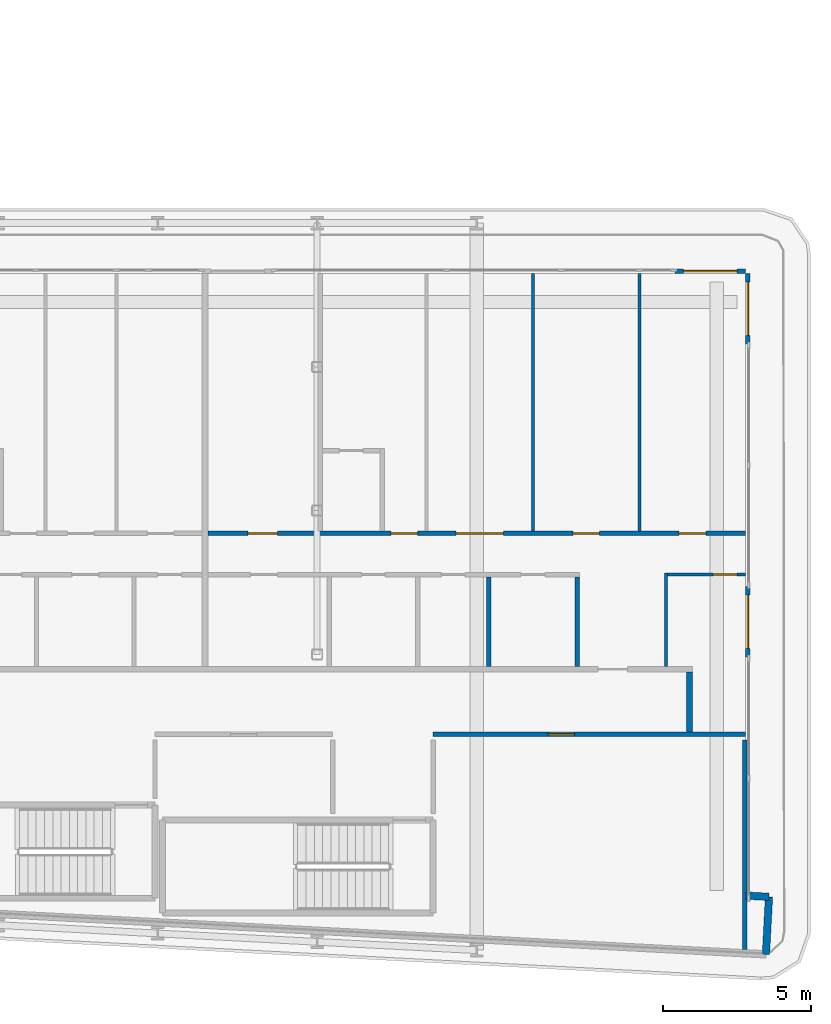
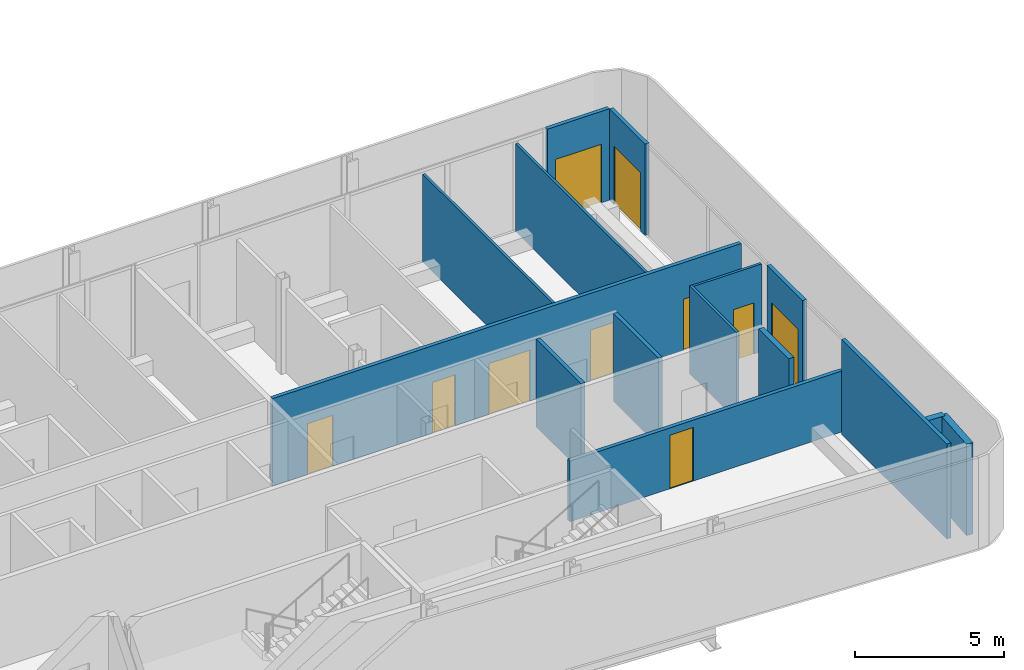
# One storey, part 20 of 29: 15 walls, 10 doors, 10 openings.
"""IFC4 building model written with IfcOpenShell, lengths in metres."""

from ifc_helpers import new_model, si_unit, direction, frame, frame_2d, origin, place, context, subcontext, project, spatial, rectangle, extrude, source, transform, mapped, material, layer, layer_set, type_object, element, fill, save


model = new_model("IFC4")

# Units and contexts
model_context = context("Model", 3, precision=1e-05, world=origin(), true_north=direction((0.0, 1.0)))
body_context = subcontext(model_context, "Body", "Model", "MODEL_VIEW")
ifc_project = project(units=[si_unit("LENGTHUNIT", "METRE"), si_unit("AREAUNIT", "SQUARE_METRE"), si_unit("VOLUMEUNIT", "CUBIC_METRE"), si_unit("PLANEANGLEUNIT", "RADIAN"), si_unit("MASSUNIT", "GRAM", prefix="KILO")], contexts=[model_context])

# Site, building, storey
site_placement = place(None, origin())
site = spatial("IfcSite", under=ifc_project, at=site_placement, CompositionType="ELEMENT")
building_placement = place(site_placement, origin())
building = spatial("IfcBuilding", under=site, at=building_placement, Name="Kheshtan School and Residences Tower", CompositionType="ELEMENT")
storey_placement = place(building_placement, frame((0.0, 0.0, 117.5)))
storey = spatial("IfcBuildingStorey", under=building, at=storey_placement, Name="L27", CompositionType="ELEMENT", Elevation=117.5)

# Walls
ifc_material_1 = material(Name="Gypsum board on steel studs with fire boards", Category="steel")
ifc_layer_1 = layer(ifc_material_1, 0.199951171875)
ifc_layer_set_1 = layer_set([ifc_layer_1], Name="Corridor wall 200")
wall_type_1 = type_object("IfcWallType", Name="Corridor wall 200", PredefinedType="PARTITIONING", material=ifc_layer_set_1)
wall_1_placement = place(storey_placement, frame((98.0, 28.3740234375, 0.0), z_axis=(0.0, 0.0, 1.0), x_axis=(0.0, 1.0, 0.0)))
element("IfcWall", 1, at=wall_1_placement, inside=storey, type_object=wall_type_1, Name="Partition L27-094", PredefinedType="PARTITIONING", context=body_context, shape_type="SweptSolid", body=[
    extrude(rectangle(XDim=2.02587890625, YDim=0.199951171875, at=frame_2d((1.012939453125, 0.0))), origin(), (0.0, 0.0, 1.0), 3.60009765625),
])
ifc_material_2 = material(Name="Concrete C40/50 with ceramic cladding and mineral wool insulation", Category="concrete")
ifc_layer_2 = layer(ifc_material_2, 0.25)
ifc_layer_set_2 = layer_set([ifc_layer_2], Name="External wall 250 ceramic clad")
wall_type_2 = type_object("IfcWallType", Name="External wall 250 ceramic clad", PredefinedType="SOLIDWALL", material=ifc_layer_set_2)
wall_2_placement = place(storey_placement, frame((99.906982421875, 22.839111328125, 0.0), z_axis=(0.0, 0.0, 1.0), x_axis=(0.998561284263, -0.053622398031, 0.0)))
element("IfcWall", 2, at=wall_2_placement, inside=storey, type_object=wall_type_2, Name="External wall L27 14", PredefinedType="SOLIDWALL", context=body_context, shape_type="SweptSolid", body=[
    extrude(rectangle(XDim=0.783203125, YDim=0.25, at=frame_2d((0.3916015625, 0.0))), origin(), (0.0, 0.0, 1.0), 3.75),
])
wall_3_placement = place(storey_placement, frame((100.68896484375, 22.797119140625, 0.0), z_axis=(0.0, 0.0, 1.0), x_axis=(-0.052841433274, -0.998602915542, 0.0)))
element("IfcWall", 3, at=wall_3_placement, inside=storey, type_object=wall_type_2, Name="External wall L27 15", PredefinedType="SOLIDWALL", context=body_context, shape_type="SweptSolid", body=[
    extrude(rectangle(XDim=1.94970703125, YDim=0.25, at=frame_2d((0.974853515625, 0.0))), origin(), (0.0, 0.0, 1.0), 3.75),
])

# Wall, opening, door
ifc_material_3 = material(Name="Aluminium frame wall with insulated infill", Category="aluminium")
ifc_layer_3 = layer(ifc_material_3, 0.14990234375)
ifc_layer_set_3 = layer_set([ifc_layer_3], Name="Glazing frame wall 150")
wall_type_3 = type_object("IfcWallType", Name="Glazing frame wall 150", PredefinedType="SOLIDWALL", material=ifc_layer_set_3)
wall_4_placement = place(storey_placement, frame((97.5, 43.97509765625, 0.0), z_axis=(0.0, 0.0, 1.0), x_axis=(1.0, 0.0, 0.0)))
wall_4 = element("IfcWall", 4, at=wall_4_placement, inside=storey, type_object=wall_type_3, Name="Balcony door wall L27 12.5", PredefinedType="SOLIDWALL", context=body_context, shape_type="SweptSolid", body=[
    extrude(rectangle(XDim=2.39990234375, YDim=0.14990234375, at=frame_2d((1.199951171875, 0.0))), origin(), (0.0, 0.0, 1.0), 3.75),
])
opening_1_placement = place(wall_4_placement, frame((0.300048828125, 0.0, 0.0)))
opening_1 = element("IfcOpeningElement", 5, at=opening_1_placement, cuts=wall_4, Name="Opening BD", PredefinedType="OPENING", context=body_context, shape_type="SweptSolid", body=[
    extrude(rectangle(XDim=1.800048828125, YDim=2.39990234375, at=frame_2d((0.89990234375, 1.199951171875))), frame((0.0, 0.0849609375, 0.0), z_axis=(0.0, -1.0, 0.0), x_axis=(1.0, 0.0, 0.0)), (0.0, 0.0, 1.0), 0.169921875),
])
ifc_material_4 = material(Name="Clear low-e glass in thermally broken aluminium frame", Category="aluminium")
door_type_1 = type_object("IfcDoorType", Name="Balcony sliding door", OperationType="SLIDING_TO_LEFT", PredefinedType="DOOR", material=ifc_material_4)
shared_shape_1 = source(origin(), body_context, "Body", "SweptSolid", [
    extrude(rectangle(XDim=1.800048828125, YDim=2.39990234375, at=frame_2d((0.89990234375, 1.199951171875))), frame((0.0, 0.02490234375, 0.0), z_axis=(0.0, -1.0, 0.0), x_axis=(1.0, 0.0, 0.0)), (0.0, 0.0, 1.0), 0.050048828125),
])
door_1_placement = place(opening_1_placement, origin())
door_1 = element("IfcDoor", 6, at=door_1_placement, inside=storey, type_object=door_type_1, Name="Balcony door L27 12.5", OperationType="SLIDING_TO_LEFT", OverallHeight=2.39990234375, OverallWidth=1.800048828125, PredefinedType="DOOR", context=body_context, shape_type="MappedRepresentation", body=[
    mapped(shared_shape_1, transform((0.0, 0.0, 0.0), x_axis=(1.0, 0.0, 0.0), y_axis=(0.0, 1.0, 0.0), z_axis=(0.0, 0.0, 1.0), scale=1.0)),
])
fill(opening_1, door_1)

wall_5_placement = place(storey_placement, frame((99.97509765625, 43.89990234375, 0.0), z_axis=(0.0, 0.0, 1.0), x_axis=(0.0, -1.0, 0.0)))
wall_5 = element("IfcWall", 7, at=wall_5_placement, inside=storey, type_object=wall_type_3, Name="Balcony door wall L27 13.1", PredefinedType="SOLIDWALL", context=body_context, shape_type="SweptSolid", body=[
    extrude(rectangle(XDim=2.39990234375, YDim=0.14990234375, at=frame_2d((1.199951171875, 0.0))), origin(), (0.0, 0.0, 1.0), 3.75),
])
opening_2_placement = place(wall_5_placement, frame((0.300048828125, 0.0, 0.0)))
opening_2 = element("IfcOpeningElement", 8, at=opening_2_placement, cuts=wall_5, Name="Opening BD", PredefinedType="OPENING", context=body_context, shape_type="SweptSolid", body=[
    extrude(rectangle(XDim=1.800048828125, YDim=2.39990234375, at=frame_2d((0.89990234375, 1.199951171875))), frame((0.0, 0.0849609375, 0.0), z_axis=(0.0, -1.0, 0.0), x_axis=(1.0, 0.0, 0.0)), (0.0, 0.0, 1.0), 0.169921875),
])
door_2_placement = place(opening_2_placement, origin())
door_2 = element("IfcDoor", 9, at=door_2_placement, inside=storey, type_object=door_type_1, Name="Balcony door L27 13.1", OperationType="SLIDING_TO_LEFT", OverallHeight=2.39990234375, OverallWidth=1.800048828125, PredefinedType="DOOR", context=body_context, shape_type="MappedRepresentation", body=[
    mapped(shared_shape_1, transform((0.0, 0.0, 0.0), x_axis=(1.0, 0.0, 0.0), y_axis=(0.0, 1.0, 0.0), z_axis=(0.0, 0.0, 1.0), scale=1.0)),
])
fill(opening_2, door_2)

wall_6_placement = place(storey_placement, frame((99.97509765625, 33.306884765625, 0.0), z_axis=(0.0, 0.0, 1.0), x_axis=(0.0, -1.0, 0.0)))
wall_6 = element("IfcWall", 10, at=wall_6_placement, inside=storey, type_object=wall_type_3, Name="Balcony door wall L27 13.2", PredefinedType="SOLIDWALL", context=body_context, shape_type="SweptSolid", body=[
    extrude(rectangle(XDim=2.39990234375, YDim=0.14990234375, at=frame_2d((1.199951171875, 0.0))), origin(), (0.0, 0.0, 1.0), 3.75),
])
opening_3_placement = place(wall_6_placement, frame((0.300048828125, 0.0, 0.0)))
opening_3 = element("IfcOpeningElement", 11, at=opening_3_placement, cuts=wall_6, Name="Opening BD", PredefinedType="OPENING", context=body_context, shape_type="SweptSolid", body=[
    extrude(rectangle(XDim=1.800048828125, YDim=2.39990234375, at=frame_2d((0.89990234375, 1.199951171875))), frame((0.0, 0.0849609375, 0.0), z_axis=(0.0, -1.0, 0.0), x_axis=(1.0, 0.0, 0.0)), (0.0, 0.0, 1.0), 0.169921875),
])
door_3_placement = place(opening_3_placement, origin())
door_3 = element("IfcDoor", 12, at=door_3_placement, inside=storey, type_object=door_type_1, Name="Balcony door L27 13.2", OperationType="SLIDING_TO_LEFT", OverallHeight=2.39990234375, OverallWidth=1.800048828125, PredefinedType="DOOR", context=body_context, shape_type="MappedRepresentation", body=[
    mapped(shared_shape_1, transform((0.0, 0.0, 0.0), x_axis=(1.0, 0.0, 0.0), y_axis=(0.0, 1.0, 0.0), z_axis=(0.0, 0.0, 1.0), scale=1.0)),
])
fill(opening_3, door_3)

# Walls
ifc_material_5 = material(Name="Gypsum board on steel studs", Category="steel")
ifc_layer_4 = layer(ifc_material_5, 0.10009765625)
ifc_layer_set_4 = layer_set([ifc_layer_4], Name="Gypsum partition 100")
wall_type_4 = type_object("IfcWallType", Name="Gypsum partition 100", PredefinedType="PARTITIONING", material=ifc_layer_set_4)
for number, where, z_axis, x_axis, name in (
    (13, (92.699951171875, 35.175048828125, 0.0), (0.0, 0.0, 1.0), (0.0, 1.0, 0.0), "Partition L27-089"),
    (14, (96.300048828125, 35.175048828125, 0.0), (0.0, 0.0, 1.0), (0.0, 1.0, 0.0), "Partition L27-091"),
):
    element("IfcWall", number, at=place(storey_placement, frame(where, z_axis=z_axis, x_axis=x_axis)), inside=storey, type_object=wall_type_4, Name=name, PredefinedType="PARTITIONING", context=body_context, shape_type="SweptSolid", body=[
        extrude(rectangle(XDim=8.724853515625, YDim=0.10009765625, at=frame_2d((4.3623046875, 0.0))), origin(), (0.0, 0.0, 1.0), 3.60009765625),
    ])
wall_7_placement = place(storey_placement, frame((97.199951171875, 30.60009765625, 0.0), z_axis=(0.0, 0.0, 1.0), x_axis=(0.0, 1.0, 0.0)))
element("IfcWall", 15, at=wall_7_placement, inside=storey, type_object=wall_type_4, Name="Partition L27-092", PredefinedType="PARTITIONING", context=body_context, shape_type="SweptSolid", body=[
    extrude(rectangle(XDim=3.14990234375, YDim=0.10009765625, at=frame_2d((1.574951171875, 0.0))), origin(), (0.0, 0.0, 1.0), 3.60009765625),
])

# Wall, opening, door
wall_8_placement = place(storey_placement, frame((97.25, 33.699951171875, 0.0), z_axis=(0.0, 0.0, 1.0), x_axis=(1.0, 0.0, 0.0)))
wall_8 = element("IfcWall", 16, at=wall_8_placement, inside=storey, type_object=wall_type_4, Name="Partition L27-093", PredefinedType="PARTITIONING", context=body_context, shape_type="SweptSolid", body=[
    extrude(rectangle(XDim=2.64990234375, YDim=0.10009765625, at=frame_2d((1.324951171875, 0.0))), origin(), (0.0, 0.0, 1.0), 3.60009765625),
])
opening_4_placement = place(wall_8_placement, frame((1.550048828125, 0.0, 0.0)))
opening_4 = element("IfcOpeningElement", 17, at=opening_4_placement, cuts=wall_8, Name="Opening D27-027", PredefinedType="OPENING", context=body_context, shape_type="SweptSolid", body=[
    extrude(rectangle(XDim=0.800048828125, YDim=2.10009765625, at=frame_2d((0.39990234375, 1.050048828125))), frame((0.0, 0.06005859375, 0.0), z_axis=(0.0, -1.0, 0.0), x_axis=(1.0, 0.0, 0.0)), (0.0, 0.0, 1.0), 0.1201171875),
])
ifc_material_6 = material(Name="Veneered timber door leaf", Category="wood")
door_type_2 = type_object("IfcDoorType", Name="Door 800 x 2100", OperationType="SINGLE_SWING_LEFT", PredefinedType="DOOR", material=ifc_material_6)
shared_shape_2 = source(origin(), body_context, "Body", "SweptSolid", [
    extrude(rectangle(XDim=0.800048828125, YDim=2.10009765625, at=frame_2d((0.39990234375, 1.050048828125))), frame((0.0, 0.02490234375, 0.0), z_axis=(0.0, -1.0, 0.0), x_axis=(1.0, 0.0, 0.0)), (0.0, 0.0, 1.0), 0.050048828125),
])
door_4_placement = place(opening_4_placement, origin())
door_4 = element("IfcDoor", 18, at=door_4_placement, inside=storey, type_object=door_type_2, Name="Door D27-027", OperationType="SINGLE_SWING_LEFT", OverallHeight=2.10009765625, OverallWidth=0.800048828125, PredefinedType="DOOR", context=body_context, shape_type="MappedRepresentation", body=[
    mapped(shared_shape_2, transform((0.0, 0.0, 0.0), x_axis=(1.0, 0.0, 0.0), y_axis=(0.0, 1.0, 0.0), z_axis=(0.0, 0.0, 1.0), scale=1.0)),
])
fill(opening_4, door_4)

ifc_material_7 = material(Name="Fire-board shaft wall system")
ifc_layer_5 = layer(ifc_material_7, 0.14990234375)
ifc_layer_set_5 = layer_set([ifc_layer_5], Name="Service room wall 150")
wall_type_5 = type_object("IfcWallType", Name="Service room wall 150", PredefinedType="PARTITIONING", material=ifc_layer_set_5)
wall_9_placement = place(storey_placement, frame((89.320068359375, 28.300048828125, 0.0), z_axis=(0.0, 0.0, 1.0), x_axis=(1.0, 0.0, 0.0)))
wall_9 = element("IfcWall", 19, at=wall_9_placement, inside=storey, type_object=wall_type_5, Name="Service room wall", PredefinedType="PARTITIONING", context=body_context, shape_type="SweptSolid", body=[
    extrude(rectangle(XDim=10.577880859375, YDim=0.14990234375, at=frame_2d((5.2890625, 0.0))), origin(), (0.0, 0.0, 1.0), 2.5),
])
opening_5_placement = place(wall_9_placement, frame((3.889892578125, 0.0, 0.0)))
opening_5 = element("IfcOpeningElement", 20, at=opening_5_placement, cuts=wall_9, Name="Opening SR90", PredefinedType="OPENING", context=body_context, shape_type="SweptSolid", body=[
    extrude(rectangle(XDim=0.89990234375, YDim=2.199951171875, at=frame_2d((0.449951171875, 1.10009765625))), frame((0.0, 0.0849609375, 0.0), z_axis=(0.0, -1.0, 0.0), x_axis=(1.0, 0.0, 0.0)), (0.0, 0.0, 1.0), 0.169921875),
])
ifc_material_8 = material(Name="Steel door leaf, galvanised", Category="steel")
door_type_3 = type_object("IfcDoorType", Name="Service room door 900 steel 90 min", OperationType="SINGLE_SWING_LEFT", PredefinedType="DOOR", material=ifc_material_8)
shared_shape_3 = source(origin(), body_context, "Body", "SweptSolid", [
    extrude(rectangle(XDim=0.89990234375, YDim=2.199951171875, at=frame_2d((0.449951171875, 1.10009765625))), frame((0.0, 0.02490234375, 0.0), z_axis=(0.0, -1.0, 0.0), x_axis=(1.0, 0.0, 0.0)), (0.0, 0.0, 1.0), 0.050048828125),
])
door_5_placement = place(opening_5_placement, origin())
door_5 = element("IfcDoor", 21, at=door_5_placement, inside=storey, type_object=door_type_3, Name="Service room door", OperationType="SINGLE_SWING_RIGHT", OverallHeight=2.199951171875, OverallWidth=0.89990234375, PredefinedType="DOOR", context=body_context, shape_type="MappedRepresentation", body=[
    mapped(shared_shape_3, transform((0.0, 0.0, 0.0), x_axis=(1.0, 0.0, 0.0), y_axis=(0.0, 1.0, 0.0), z_axis=(0.0, 0.0, 1.0), scale=1.0)),
])
fill(opening_5, door_5)

# Wall
wall_10_placement = place(storey_placement, frame((99.8701171875, 21.014892578125, 0.0), z_axis=(0.0, 0.0, 1.0), x_axis=(0.0, 1.0, 0.0)))
element("IfcWall", 22, at=wall_10_placement, inside=storey, type_object=wall_type_5, Name="Service room wall", PredefinedType="PARTITIONING", context=body_context, shape_type="SweptSolid", body=[
    extrude(rectangle(XDim=7.090087890625, YDim=0.14990234375, at=frame_2d((3.544921875, 0.0))), origin(), (0.0, 0.0, 1.0), 3.89990234375),
])

# Wall, openings, doors
ifc_material_9 = material(Name="Moisture-resistant gypsum board on steel studs", Category="steel")
ifc_layer_6 = layer(ifc_material_9, 0.14990234375)
ifc_layer_set_6 = layer_set([ifc_layer_6], Name="Wet-room partition 150")
wall_type_6 = type_object("IfcWallType", Name="Wet-room partition 150", PredefinedType="PARTITIONING", material=ifc_layer_set_6)
wall_11_placement = place(storey_placement, frame((81.699951171875, 35.10009765625, 0.0), z_axis=(0.0, 0.0, 1.0), x_axis=(1.0, 0.0, 0.0)))
wall_11 = element("IfcWall", 23, at=wall_11_placement, inside=storey, type_object=wall_type_6, Name="Partition L27-081", PredefinedType="PARTITIONING", context=body_context, shape_type="SweptSolid", body=[
    extrude(rectangle(XDim=18.199951171875, YDim=0.14990234375, at=frame_2d((9.10009765625, 0.0))), origin(), (0.0, 0.0, 1.0), 3.60009765625),
])
opening_6_placement = place(wall_11_placement, frame((12.35009765625, 0.0, 0.0)))
opening_6 = element("IfcOpeningElement", 24, at=opening_6_placement, cuts=wall_11, Name="Opening D27-025", PredefinedType="OPENING", context=body_context, shape_type="SweptSolid", body=[
    extrude(rectangle(XDim=0.89990234375, YDim=2.10009765625, at=frame_2d((0.449951171875, 1.050048828125))), frame((0.0, 0.0849609375, 0.0), z_axis=(0.0, -1.0, 0.0), x_axis=(1.0, 0.0, 0.0)), (0.0, 0.0, 1.0), 0.169921875),
])
opening_7_placement = place(wall_11_placement, frame((15.949951171875, 0.0, 0.0)))
opening_7 = element("IfcOpeningElement", 25, at=opening_7_placement, cuts=wall_11, Name="Opening D27-026", PredefinedType="OPENING", context=body_context, shape_type="SweptSolid", body=[
    extrude(rectangle(XDim=0.89990234375, YDim=2.10009765625, at=frame_2d((0.449951171875, 1.050048828125))), frame((0.0, 0.0849609375, 0.0), z_axis=(0.0, -1.0, 0.0), x_axis=(1.0, 0.0, 0.0)), (0.0, 0.0, 1.0), 0.169921875),
])
opening_8_placement = place(wall_11_placement, frame((1.35009765625, 0.0, 0.0)))
opening_8 = element("IfcOpeningElement", 26, at=opening_8_placement, cuts=wall_11, Name="Opening D27-031", PredefinedType="OPENING", context=body_context, shape_type="SweptSolid", body=[
    extrude(rectangle(XDim=1.0, YDim=2.10009765625, at=frame_2d((0.5, 1.050048828125))), frame((0.0, 0.0849609375, 0.0), z_axis=(0.0, -1.0, 0.0), x_axis=(1.0, 0.0, 0.0)), (0.0, 0.0, 1.0), 0.169921875),
])
opening_9_placement = place(wall_11_placement, frame((8.39990234375, 0.0, 0.0)))
opening_9 = element("IfcOpeningElement", 27, at=opening_9_placement, cuts=wall_11, Name="Opening D27-032", PredefinedType="OPENING", context=body_context, shape_type="SweptSolid", body=[
    extrude(rectangle(XDim=1.60009765625, YDim=2.10009765625, at=frame_2d((0.800048828125, 1.050048828125))), frame((0.0, 0.0849609375, 0.0), z_axis=(0.0, -1.0, 0.0), x_axis=(1.0, 0.0, 0.0)), (0.0, 0.0, 1.0), 0.169921875),
])
opening_10_placement = place(wall_11_placement, frame((6.199951171875, 0.0, 0.0)))
opening_10 = element("IfcOpeningElement", 28, at=opening_10_placement, cuts=wall_11, Name="Opening D27-033", PredefinedType="OPENING", context=body_context, shape_type="SweptSolid", body=[
    extrude(rectangle(XDim=0.89990234375, YDim=2.10009765625, at=frame_2d((0.449951171875, 1.050048828125))), frame((0.0, 0.0849609375, 0.0), z_axis=(0.0, -1.0, 0.0), x_axis=(1.0, 0.0, 0.0)), (0.0, 0.0, 1.0), 0.169921875),
])
door_type_4 = type_object("IfcDoorType", Name="Door 1000 x 2100", OperationType="SINGLE_SWING_LEFT", PredefinedType="DOOR", material=ifc_material_6)
shared_shape_4 = source(origin(), body_context, "Body", "SweptSolid", [
    extrude(rectangle(XDim=1.0, YDim=2.10009765625, at=frame_2d((0.5, 1.050048828125))), frame((0.0, 0.02490234375, 0.0), z_axis=(0.0, -1.0, 0.0), x_axis=(1.0, 0.0, 0.0)), (0.0, 0.0, 1.0), 0.050048828125),
])
door_6_placement = place(opening_8_placement, origin())
door_6 = element("IfcDoor", 29, at=door_6_placement, inside=storey, type_object=door_type_4, Name="Door D27-031", OperationType="SINGLE_SWING_RIGHT", OverallHeight=2.10009765625, OverallWidth=1.0, PredefinedType="DOOR", context=body_context, shape_type="MappedRepresentation", body=[
    mapped(shared_shape_4, transform((0.0, 0.0, 0.0), x_axis=(1.0, 0.0, 0.0), y_axis=(0.0, 1.0, 0.0), z_axis=(0.0, 0.0, 1.0), scale=1.0)),
])
fill(opening_8, door_6)
door_type_5 = type_object("IfcDoorType", Name="Door 900 x 2100", OperationType="SINGLE_SWING_LEFT", PredefinedType="DOOR", material=ifc_material_6)
shared_shape_5 = source(origin(), body_context, "Body", "SweptSolid", [
    extrude(rectangle(XDim=0.89990234375, YDim=2.10009765625, at=frame_2d((0.449951171875, 1.050048828125))), frame((0.0, 0.02490234375, 0.0), z_axis=(0.0, -1.0, 0.0), x_axis=(1.0, 0.0, 0.0)), (0.0, 0.0, 1.0), 0.050048828125),
])
door_7_placement = place(opening_6_placement, origin())
door_7 = element("IfcDoor", 30, at=door_7_placement, inside=storey, type_object=door_type_5, Name="Door D27-025", OperationType="SINGLE_SWING_RIGHT", OverallHeight=2.10009765625, OverallWidth=0.89990234375, PredefinedType="DOOR", context=body_context, shape_type="MappedRepresentation", body=[
    mapped(shared_shape_5, transform((0.0, 0.0, 0.0), x_axis=(1.0, 0.0, 0.0), y_axis=(0.0, 1.0, 0.0), z_axis=(0.0, 0.0, 1.0), scale=1.0)),
])
fill(opening_6, door_7)
door_8_placement = place(opening_7_placement, origin())
door_8 = element("IfcDoor", 31, at=door_8_placement, inside=storey, type_object=door_type_5, Name="Door D27-026", OperationType="SINGLE_SWING_LEFT", OverallHeight=2.10009765625, OverallWidth=0.89990234375, PredefinedType="DOOR", context=body_context, shape_type="MappedRepresentation", body=[
    mapped(shared_shape_5, transform((0.0, 0.0, 0.0), x_axis=(1.0, 0.0, 0.0), y_axis=(0.0, 1.0, 0.0), z_axis=(0.0, 0.0, 1.0), scale=1.0)),
])
fill(opening_7, door_8)
door_9_placement = place(opening_10_placement, origin())
door_9 = element("IfcDoor", 32, at=door_9_placement, inside=storey, type_object=door_type_5, Name="Door D27-033", OperationType="SINGLE_SWING_RIGHT", OverallHeight=2.10009765625, OverallWidth=0.89990234375, PredefinedType="DOOR", context=body_context, shape_type="MappedRepresentation", body=[
    mapped(shared_shape_5, transform((0.0, 0.0, 0.0), x_axis=(1.0, 0.0, 0.0), y_axis=(0.0, 1.0, 0.0), z_axis=(0.0, 0.0, 1.0), scale=1.0)),
])
fill(opening_10, door_9)
door_type_6 = type_object("IfcDoorType", Name="Double door 1600 x 2100", OperationType="DOUBLE_DOOR_SINGLE_SWING", PredefinedType="DOOR", material=ifc_material_6)
shared_shape_6 = source(origin(), body_context, "Body", "SweptSolid", [
    extrude(rectangle(XDim=1.60009765625, YDim=2.10009765625, at=frame_2d((0.800048828125, 1.050048828125))), frame((0.0, 0.02490234375, 0.0), z_axis=(0.0, -1.0, 0.0), x_axis=(1.0, 0.0, 0.0)), (0.0, 0.0, 1.0), 0.050048828125),
])
door_10_placement = place(opening_9_placement, origin())
door_10 = element("IfcDoor", 33, at=door_10_placement, inside=storey, type_object=door_type_6, Name="Door D27-032", OperationType="DOUBLE_DOOR_SINGLE_SWING", OverallHeight=2.10009765625, OverallWidth=1.60009765625, PredefinedType="DOOR", context=body_context, shape_type="MappedRepresentation", body=[
    mapped(shared_shape_6, transform((0.0, 0.0, 0.0), x_axis=(1.0, 0.0, 0.0), y_axis=(0.0, 1.0, 0.0), z_axis=(0.0, 0.0, 1.0), scale=1.0)),
])
fill(opening_9, door_10)

# Walls
for number, where, z_axis, x_axis, name in (
    (34, (91.199951171875, 30.60009765625, 0.0), (0.0, 0.0, 1.0), (0.0, 1.0, 0.0), "Partition L27-088"),
    (35, (94.199951171875, 30.60009765625, 0.0), (0.0, 0.0, 1.0), (0.0, 1.0, 0.0), "Partition L27-090"),
):
    element("IfcWall", number, at=place(storey_placement, frame(where, z_axis=z_axis, x_axis=x_axis)), inside=storey, type_object=wall_type_6, Name=name, PredefinedType="PARTITIONING", context=body_context, shape_type="SweptSolid", body=[
        extrude(rectangle(XDim=3.02490234375, YDim=0.14990234375, at=frame_2d((1.512451171875, 0.0))), origin(), (0.0, 0.0, 1.0), 3.60009765625),
    ])

save(model, "model.ifc")
